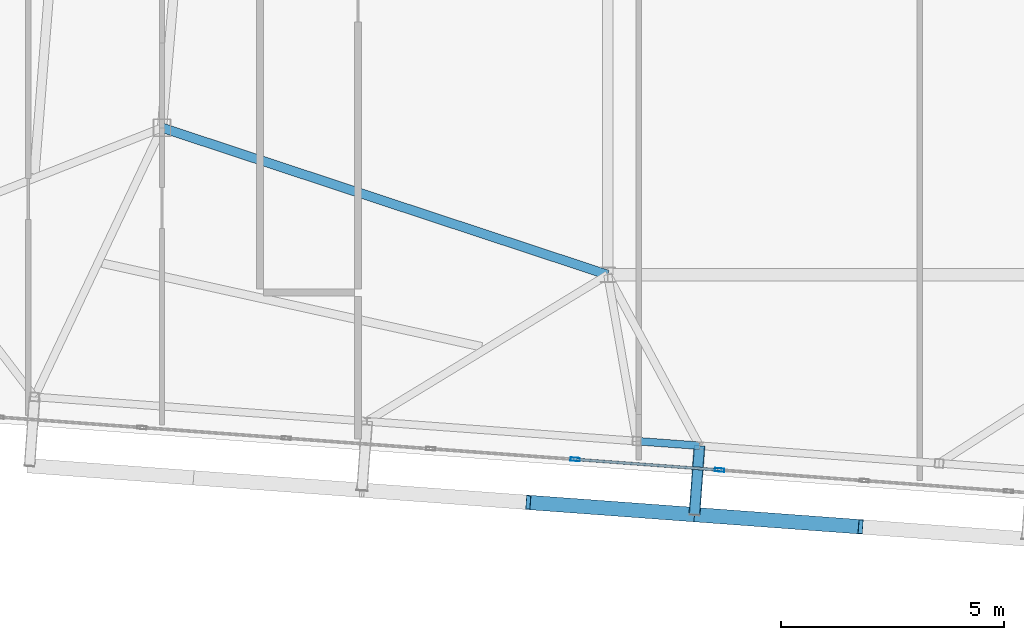
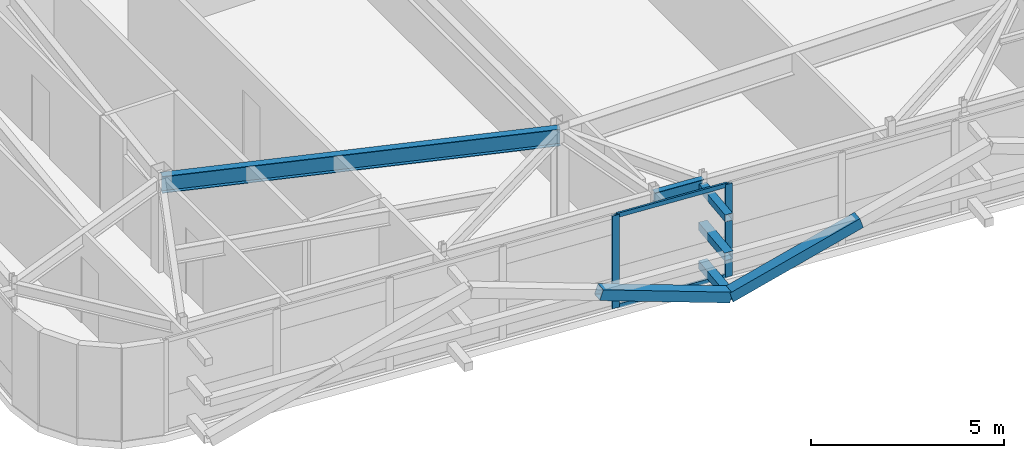
# One storey, part 12 of 42: 9 members, 2 beams, 1 element without a shape of its own.
"""IFC4 building model written with IfcOpenShell, lengths in metres."""

from ifc_helpers import new_model, si_unit, direction, frame, origin, origin_2d, place, context, subcontext, project, spatial, hollow_rectangle, i_section, extrude, source, transform, mapped, material, layer, layer_set, material_profile, profile_set, type_object, element, aggregate, save


model = new_model("IFC4")

# Units and contexts
model_context = context("Model", 3, precision=1e-05, world=origin(), true_north=direction((0.0, 1.0)))
body_context = subcontext(model_context, "Body", "Model", "MODEL_VIEW")
ifc_project = project(units=[si_unit("LENGTHUNIT", "METRE"), si_unit("AREAUNIT", "SQUARE_METRE"), si_unit("VOLUMEUNIT", "CUBIC_METRE"), si_unit("PLANEANGLEUNIT", "RADIAN"), si_unit("MASSUNIT", "GRAM", prefix="KILO")], contexts=[model_context])

# Site, building, storey
site_placement = place(None, origin())
site = spatial("IfcSite", under=ifc_project, at=site_placement, CompositionType="ELEMENT")
building_placement = place(site_placement, origin())
building = spatial("IfcBuilding", under=site, at=building_placement, Name="Taldren Reach Tower", CompositionType="ELEMENT")
storey_placement = place(building_placement, frame((0.0, 0.0, 224.0)))
storey = spatial("IfcBuildingStorey", under=building, at=storey_placement, Name="L68", CompositionType="ELEMENT", Elevation=224.0)

# Beam
ifc_material_1 = material(Name="Steel Gr 350 (350PLUS)", Category="steel")
ifc_material_profile_1 = material_profile(ifc_material_1, i_section(OverallWidth=0.208984375, OverallDepth=0.532958984375, WebThickness=0.01025390625, FlangeThickness=0.015625, at=origin_2d()), Name="530UB92.4")
ifc_profile_set_1 = profile_set([ifc_material_profile_1], Name="Steel Gr 350 (350PLUS)")
beam_type_1 = type_object("IfcBeamType", Name="BM-UB530A", PredefinedType="BEAM", material=ifc_profile_set_1)
shared_shape_1 = source(origin(), body_context, "Body", "SweptSolid", [
    extrude(i_section(OverallWidth=0.208984375, OverallDepth=0.532958984375, WebThickness=0.01025390625, FlangeThickness=0.015625, at=origin_2d()), origin(), (0.0, 0.0, 1.0), 10.530517578125),
])
beam_1_placement = place(storey_placement, frame((18.0, 12.5, 2.66357421875), z_axis=(0.949627269203, -0.313381635689, 0.0), x_axis=(0.313381635689, 0.949627269203, 0.0)))
element("IfcBeam", 1, at=beam_1_placement, inside=storey, type_object=beam_type_1, Name="Core-spine girder L68-SP10", PredefinedType="BEAM", context=body_context, shape_type="MappedRepresentation", body=[
    mapped(shared_shape_1, transform((0.0, 0.0, 0.0), scale=1.0)),
])

# Members
ifc_material_2 = material(Name="Steel Gr 350 (C350L0)", Category="steel")
ifc_material_profile_2 = material_profile(ifc_material_2, hollow_rectangle(XDim=0.25, YDim=0.25, WallThickness=0.010009765625, at=origin_2d()), Name="250x250x10.0SHS")
ifc_profile_set_2 = profile_set([ifc_material_profile_2], Name="Steel Gr 350 (C350L0)")
member_type_1 = type_object("IfcMemberType", Name="MB-POST250", PredefinedType="POST", material=ifc_profile_set_2)
shared_shape_2 = source(origin(), body_context, "Body", "SweptSolid", [
    extrude(hollow_rectangle(XDim=0.25, YDim=0.25, WallThickness=0.010009765625, at=origin_2d()), origin(), (0.0, 0.0, 1.0), 1.5498046875),
])
for number, where, z_axis, x_axis, name in (
    (2, (30.060546875, 5.364501953125, 0.219970703125), (-0.073250797913, -0.997313551801, 0.0), (0.997313551801, -0.073250797913, 0.0), "Exoskeleton base diaphragm tie strut B5-S3 L68"),
    (3, (30.060546875, 5.364501953125, 1.43505859375), (-0.073250797913, -0.997313551801, 0.0), (0.997313551801, -0.073250797913, 0.0), "Exoskeleton mid-tier diaphragm tie B5-S3 L68"),
):
    element("IfcMember", number, at=place(storey_placement, frame(where, z_axis=z_axis, x_axis=x_axis)), inside=storey, type_object=member_type_1, Name=name, PredefinedType="POST", context=body_context, shape_type="MappedRepresentation", body=[
        mapped(shared_shape_2, transform((0.0, 0.0, 0.0), scale=1.0)),
    ])
ifc_material_3 = material(Name="Steel Gr 450 (C450L0)", Category="steel")
ifc_material_profile_3 = material_profile(ifc_material_3, hollow_rectangle(XDim=0.219970703125, YDim=0.219970703125, WallThickness=0.00830078125, at=origin_2d()), Name="220x220x8.2SHS")
ifc_profile_set_3 = profile_set([ifc_material_profile_3], Name="Steel Gr 450 (C450L0)")
member_type_2 = type_object("IfcMemberType", Name="MB-TIE219", PredefinedType="STRUT", material=ifc_profile_set_3)
shared_shape_3 = source(origin(), body_context, "Body", "SweptSolid", [
    extrude(hollow_rectangle(XDim=0.219970703125, YDim=0.219970703125, WallThickness=0.00830078125, at=origin_2d()), origin(), (0.0, 0.0, 1.0), 1.5498046875),
])
member_1_placement = place(storey_placement, frame((30.060546875, 5.364501953125, 2.64990234375), z_axis=(-0.073250797913, -0.997313551801, 0.0), x_axis=(0.997313551801, -0.073250797913, 0.0)))
element("IfcMember", 4, at=member_1_placement, inside=storey, type_object=member_type_2, Name="Exoskeleton diaphragm tie strut B5-S3 L68", PredefinedType="STRUT", context=body_context, shape_type="MappedRepresentation", body=[
    mapped(shared_shape_3, transform((0.0, 0.0, 0.0), scale=1.0)),
])

# Beam
ifc_material_profile_4 = material_profile(ifc_material_1, i_section(OverallWidth=0.172119140625, OverallDepth=0.35888671875, WebThickness=0.008056640625, FlangeThickness=0.012939453125, at=origin_2d()), Name="360UB56.7")
ifc_profile_set_4 = profile_set([ifc_material_profile_4], Name="Steel Gr 350 (350PLUS)")
beam_type_2 = type_object("IfcBeamType", Name="SP-UB360", PredefinedType="SPANDREL", material=ifc_profile_set_4)
shared_shape_4 = source(origin(), body_context, "Body", "SweptSolid", [
    extrude(i_section(OverallWidth=0.172119140625, OverallDepth=0.35888671875, WebThickness=0.008056640625, FlangeThickness=0.012939453125, at=origin_2d()), origin(), (0.0, 0.0, 1.0), 1.41015625),
])
beam_2_placement = place(storey_placement, frame((28.654296875, 5.4677734375, 2.75048828125), z_axis=(0.997314324946, -0.073240270738, 0.0), x_axis=(0.073240270738, 0.997314324946, 0.0)))
element("IfcBeam", 5, at=beam_2_placement, inside=storey, type_object=beam_type_2, Name="Perimeter spandrel B5 PJ1-S3 L68", PredefinedType="SPANDREL", context=body_context, shape_type="MappedRepresentation", body=[
    mapped(shared_shape_4, transform((0.0, 0.0, 0.0), scale=1.0)),
])

# Members
ifc_material_profile_5 = material_profile(ifc_material_3, hollow_rectangle(XDim=0.324951171875, YDim=0.324951171875, WallThickness=0.0126953125, at=origin_2d()), Name="325x325x12.7SHS")
ifc_profile_set_5 = profile_set([ifc_material_profile_5], Name="Steel Gr 450 (C450L0)")
member_type_3 = type_object("IfcMemberType", Name="MB-BR324", PredefinedType="BRACE", material=ifc_profile_set_5)
shared_shape_5 = source(origin(), body_context, "Body", "SweptSolid", [
    extrude(hollow_rectangle(XDim=0.324951171875, YDim=0.324951171875, WallThickness=0.0126953125, at=origin_2d()), origin(), (0.0, 0.0, 1.0), 3.932373046875),
])
for number, where, z_axis, x_axis, name in (
    (6, (29.947021484375, 3.81884765625, 0.219970703125), (-0.948511132845, 0.069657644394, 0.308989390507), (-0.07324169103, -0.997314220642, 0.0), "Exoskeleton Diagrid Brace B5-S2 L68"),
    (7, (29.947021484375, 3.81884765625, 0.219970703125), (0.948511132845, -0.069657644394, 0.308989390507), (0.07324169103, 0.997314220642, 0.0), "Exoskeleton Diagrid Brace B5-S3 L68"),
):
    element("IfcMember", number, at=place(storey_placement, frame(where, z_axis=z_axis, x_axis=x_axis)), inside=storey, type_object=member_type_3, Name=name, PredefinedType="BRACE", context=body_context, shape_type="MappedRepresentation", body=[
        mapped(shared_shape_5, transform((0.0, 0.0, 0.0), scale=1.0)),
    ])

# Curtain wall, members
ifc_material_4 = material(Name="Aluminium and Low-E Glass Unitised System", Category="aluminium")
ifc_layer = layer(ifc_material_4, 0.159912109375)
ifc_layer_set = layer_set([ifc_layer], Name="Aluminium and Low-E Glass Unitised System")
curtain_wall_type = type_object("IfcCurtainWallType", Name="CW-SYS-6", PredefinedType="NOTDEFINED", material=ifc_layer_set)
curtain_wall_placement = place(storey_placement, origin())
curtain_wall = element("IfcCurtainWall", 8, at=curtain_wall_placement, inside=storey, type_object=curtain_wall_type, Name="Unitised curtain wall CW-L68-S", PredefinedType="NOTDEFINED")
ifc_material_5 = material(Name="Anodised Aluminium 6063-T6", Category="aluminium")
ifc_material_profile_6 = material_profile(ifc_material_5, hollow_rectangle(XDim=0.074951171875, YDim=0.2099609375, WallThickness=0.00439453125, at=origin_2d()), Name="ALU-210x75x4.5RHS")
ifc_profile_set_6 = profile_set([ifc_material_profile_6], Name="Anodised Aluminium 6063-T6")
member_type_4 = type_object("IfcMemberType", Name="CW-MUL-200", PredefinedType="MULLION", material=ifc_profile_set_6)
shared_shape_6 = source(origin(), body_context, "Body", "SweptSolid", [
    extrude(hollow_rectangle(XDim=0.074951171875, YDim=0.2099609375, WallThickness=0.00439453125, at=origin_2d()), origin(), (0.0, 0.0, 1.0), 2.929931640625),
])
member_2_placement = place(storey_placement, frame((27.2705078125, 5.05810546875, 0.0), z_axis=(0.0, 0.0, 1.0), x_axis=(0.073238213716, 0.997314476006, 0.0)))
member_2 = element("IfcMember", 9, at=member_2_placement, type_object=member_type_4, Name="CW-6 mullion 5", PredefinedType="MULLION", context=body_context, shape_type="MappedRepresentation", body=[
    mapped(shared_shape_6, transform((0.0, 0.0, 0.0), scale=1.0)),
])
member_3_placement = place(storey_placement, frame((30.51171875, 4.820068359375, 0.0), z_axis=(0.0, 0.0, 1.0), x_axis=(0.073238213716, 0.997314476006, 0.0)))
member_3 = element("IfcMember", 10, at=member_3_placement, type_object=member_type_4, Name="CW-6 mullion 6", PredefinedType="MULLION", context=body_context, shape_type="MappedRepresentation", body=[
    mapped(shared_shape_6, transform((0.0, 0.0, 0.0), scale=1.0)),
])
ifc_material_profile_7 = material_profile(ifc_material_5, hollow_rectangle(XDim=0.06005859375, YDim=0.135009765625, WallThickness=0.00341796875, at=origin_2d()), Name="ALU-135x60x3.5RHS")
ifc_profile_set_7 = profile_set([ifc_material_profile_7], Name="Anodised Aluminium 6063-T6")
member_type_5 = type_object("IfcMemberType", Name="CW-TRN-150", PredefinedType="USERDEFINED", material=ifc_profile_set_7)
shared_shape_7 = source(origin(), body_context, "Body", "SweptSolid", [
    extrude(hollow_rectangle(XDim=0.06005859375, YDim=0.135009765625, WallThickness=0.00341796875, at=origin_2d()), origin(), (0.0, 0.0, 1.0), 3.175048828125),
])
member_4_placement = place(storey_placement, frame((27.307861328125, 5.055419921875, 0.030029296875), z_axis=(0.997311428111, -0.073279706322, 0.0), x_axis=(0.073279706322, 0.997311428111, 0.0)))
member_4 = element("IfcMember", 11, at=member_4_placement, type_object=member_type_5, Name="CW-6 transom 5.1", ObjectType="TRANSOM", PredefinedType="USERDEFINED", context=body_context, shape_type="MappedRepresentation", body=[
    mapped(shared_shape_7, transform((0.0, 0.0, 0.0), scale=1.0)),
])
member_5_placement = place(storey_placement, frame((27.307861328125, 5.055419921875, 2.89990234375), z_axis=(0.997311428111, -0.073279706322, 0.0), x_axis=(0.073279706322, 0.997311428111, 0.0)))
member_5 = element("IfcMember", 12, at=member_5_placement, type_object=member_type_5, Name="CW-6 transom 5.2", ObjectType="TRANSOM", PredefinedType="USERDEFINED", context=body_context, shape_type="MappedRepresentation", body=[
    mapped(shared_shape_7, transform((0.0, 0.0, 0.0), scale=1.0)),
])
aggregate(curtain_wall, [member_2, member_3, member_4, member_5])

save(model, "model.ifc")
